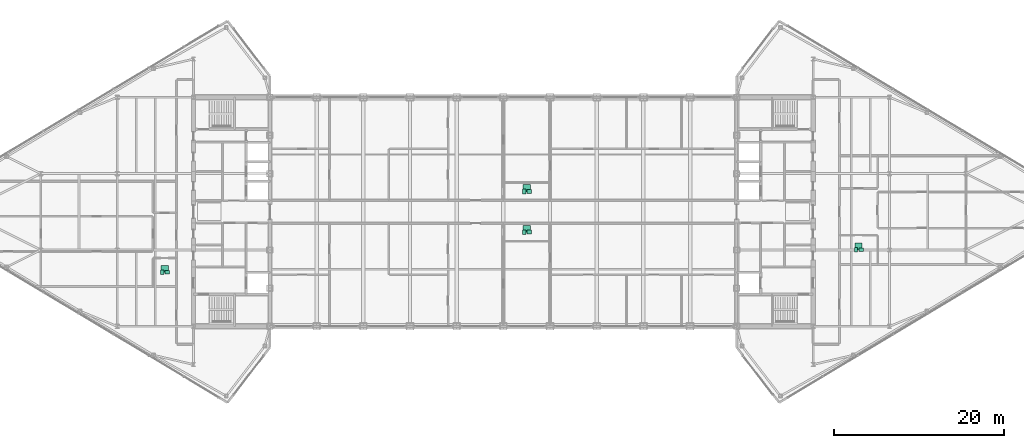
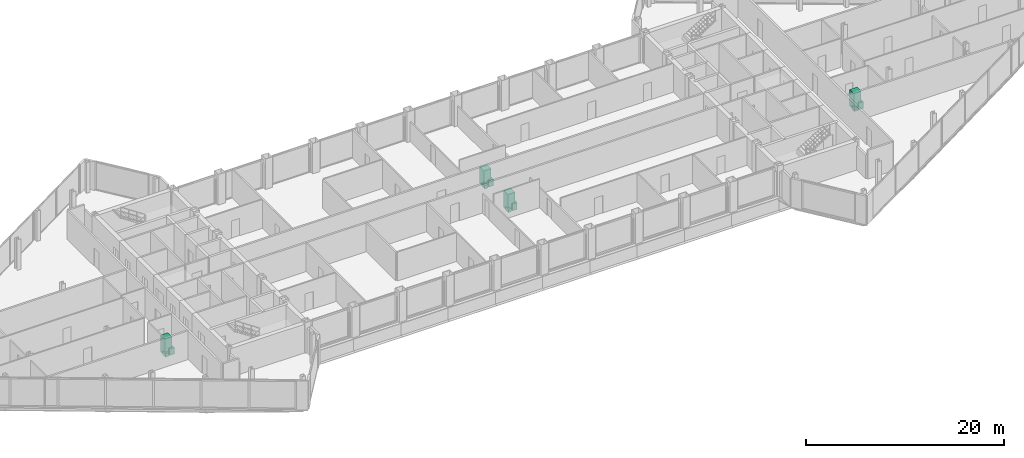
# One storey, part 29 of 29: 12 sanitary terminals.
"""IFC4 building model written with IfcOpenShell, lengths in metres."""

from ifc_helpers import new_model, si_unit, direction, frame, origin, origin_2d, place, context, subcontext, project, spatial, rectangle, extrude, source, transform, mapped, material, type_object, type_shapes, element, save


model = new_model("IFC4")

# Units and contexts
model_context = context("Model", 3, precision=1e-05, world=origin(), true_north=direction((0.0, 1.0)))
body_context = subcontext(model_context, "Body", "Model", "MODEL_VIEW")
ifc_project = project(units=[si_unit("LENGTHUNIT", "METRE"), si_unit("AREAUNIT", "SQUARE_METRE"), si_unit("VOLUMEUNIT", "CUBIC_METRE"), si_unit("PLANEANGLEUNIT", "RADIAN"), si_unit("MASSUNIT", "GRAM", prefix="KILO")], contexts=[model_context])

# Site, building, storey
site_placement = place(None, origin())
site = spatial("IfcSite", under=ifc_project, at=site_placement, CompositionType="ELEMENT")
building_placement = place(site_placement, origin())
building = spatial("IfcBuilding", under=site, at=building_placement, Name="Seokmaru Belvedere", CompositionType="ELEMENT")
storey_placement = place(building_placement, frame((0.0, 0.0, 239.39990234375)))
storey = spatial("IfcBuildingStorey", under=building, at=storey_placement, Name="L63", CompositionType="ELEMENT", Elevation=239.39990234375)

# Sanitary terminals
ifc_material_1 = material(Name="Vitreous China Sanitaryware")
sanitary_terminal_type_1 = type_object("IfcSanitaryTerminalType", Name="Wall-Hung Vitreous China WC Pan", PredefinedType="TOILETPAN", material=ifc_material_1)
shared_shape_1 = source(origin(), body_context, "Body", "SweptSolid", [
    extrude(rectangle(XDim=0.3798828125, YDim=0.56005859375, at=origin_2d()), origin(), (0.0, 0.0, 1.0), 0.419921875),
])
type_shapes(sanitary_terminal_type_1, [shared_shape_1])
for number, where, z_axis, x_axis, name in (
    (1, (-40.199951171875, -7.126953125, 0.000244140625), (0.0, 0.0, 1.0), (1.0, 0.0, 0.0), "L63 Vitreous China WC 0281"),
    (2, (41.550048828125, -4.472900390625, 0.000244140625), (0.0, 0.0, 1.0), (1.0, 0.0, 0.0), "L63 Vitreous China WC 0282"),
    (3, (2.449951171875, -2.39990234375, 0.000244140625), (0.0, 0.0, 1.0), (1.0, 0.0, 0.0), "L63 Vitreous China WC 0283"),
    (4, (2.449951171875, 2.39990234375, 0.000244140625), (0.0, 0.0, 1.0), (1.0, 0.0, 0.0), "L63 Vitreous China WC 0284"),
):
    element("IfcSanitaryTerminal", number, at=place(storey_placement, frame(where, z_axis=z_axis, x_axis=x_axis)), inside=storey, type_object=sanitary_terminal_type_1, Name=name, PredefinedType="TOILETPAN", context=body_context, shape_type="MappedRepresentation", body=[
        mapped(shared_shape_1, transform((0.0, 0.0, 0.0), scale=1.0)),
    ])
sanitary_terminal_type_2 = type_object("IfcSanitaryTerminalType", Name="Countertop Ceramic Washhand Basin", PredefinedType="WASHHANDBASIN", material=ifc_material_1)
shared_shape_2 = source(origin(), body_context, "Body", "SweptSolid", [
    extrude(rectangle(XDim=0.550048828125, YDim=0.449951171875, at=origin_2d()), origin(), (0.0, 0.0, 1.0), 0.820068359375),
])
type_shapes(sanitary_terminal_type_2, [shared_shape_2])
for number, where, z_axis, x_axis, name in (
    (5, (-39.60009765625, -7.126953125, 0.0), (0.0, 0.0, 1.0), (1.0, 0.0, 0.0), "L63 Ceramic Washhand Basin 0281"),
    (6, (42.14990234375, -4.472900390625, 0.0), (0.0, 0.0, 1.0), (1.0, 0.0, 0.0), "L63 Ceramic Washhand Basin 0282"),
    (7, (3.050048828125, -2.39990234375, 0.0), (0.0, 0.0, 1.0), (1.0, 0.0, 0.0), "L63 Ceramic Washhand Basin 0283"),
    (8, (3.050048828125, 2.39990234375, 0.0), (0.0, 0.0, 1.0), (1.0, 0.0, 0.0), "L63 Ceramic Washhand Basin 0284"),
):
    element("IfcSanitaryTerminal", number, at=place(storey_placement, frame(where, z_axis=z_axis, x_axis=x_axis)), inside=storey, type_object=sanitary_terminal_type_2, Name=name, PredefinedType="WASHHANDBASIN", context=body_context, shape_type="MappedRepresentation", body=[
        mapped(shared_shape_2, transform((0.0, 0.0, 0.0), scale=1.0)),
    ])
ifc_material_2 = material(Name="Stainless Steel 316", Category="steel")
sanitary_terminal_type_3 = type_object("IfcSanitaryTerminalType", Name="Walk-In Thermostatic Rain Shower Enclosure", PredefinedType="SHOWER", material=ifc_material_2)
shared_shape_3 = source(origin(), body_context, "Body", "SweptSolid", [
    extrude(rectangle(XDim=0.85009765625, YDim=0.85009765625, at=origin_2d()), origin(), (0.0, 0.0, 1.0), 2.050048828125),
])
type_shapes(sanitary_terminal_type_3, [shared_shape_3])
for number, where, z_axis, x_axis, name in (
    (9, (-39.89990234375, -6.7470703125, 0.0), (0.0, 0.0, 1.0), (1.0, 0.0, 0.0), "L63 Walk-In Shower 0281"),
    (10, (41.85009765625, -4.093017578125, 0.0), (0.0, 0.0, 1.0), (1.0, 0.0, 0.0), "L63 Walk-In Shower 0282"),
    (11, (2.75, -2.02001953125, 0.0), (0.0, 0.0, 1.0), (1.0, 0.0, 0.0), "L63 Walk-In Shower 0283"),
    (12, (2.75, 2.780029296875, 0.0), (0.0, 0.0, 1.0), (1.0, 0.0, 0.0), "L63 Walk-In Shower 0284"),
):
    element("IfcSanitaryTerminal", number, at=place(storey_placement, frame(where, z_axis=z_axis, x_axis=x_axis)), inside=storey, type_object=sanitary_terminal_type_3, Name=name, PredefinedType="SHOWER", context=body_context, shape_type="MappedRepresentation", body=[
        mapped(shared_shape_3, transform((0.0, 0.0, 0.0), scale=1.0)),
    ])

save(model, "model.ifc")
